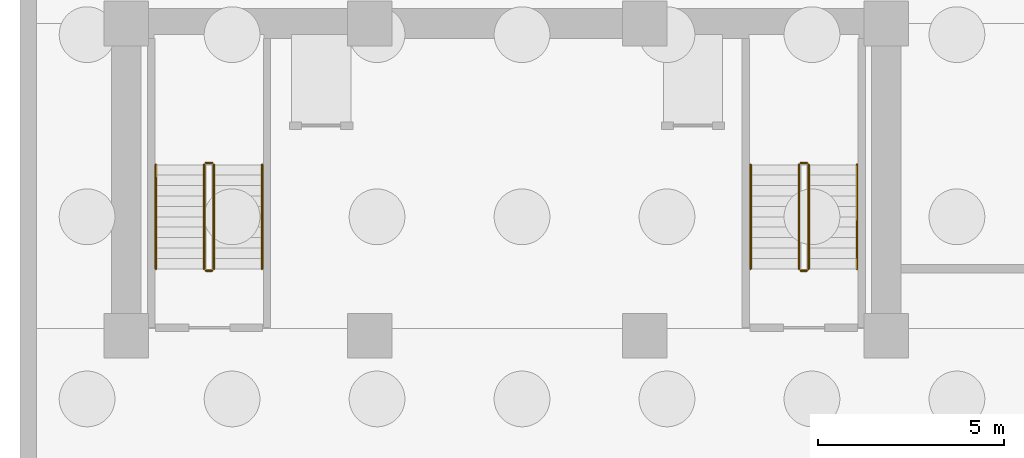
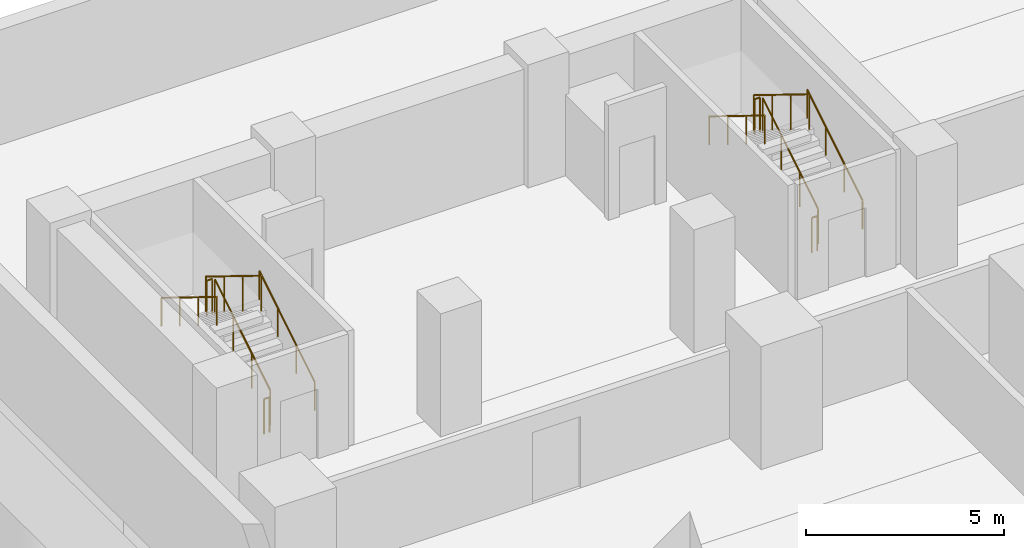
# One storey, part 5 of 7: 12 railings.
"""IFC4 building model written with IfcOpenShell, lengths in metres."""

from ifc_helpers import new_model, si_unit, direction, frame, origin, origin_2d, place, context, subcontext, project, spatial, circle, extrude, material, layer, layer_set, type_object, element, save


model = new_model("IFC4")

# Units and contexts
model_context = context("Model", 3, precision=1e-05, world=origin(), true_north=direction((0.0, 1.0)))
body_context = subcontext(model_context, "Body", "Model", "MODEL_VIEW")
ifc_project = project(units=[si_unit("LENGTHUNIT", "METRE"), si_unit("AREAUNIT", "SQUARE_METRE"), si_unit("VOLUMEUNIT", "CUBIC_METRE"), si_unit("PLANEANGLEUNIT", "RADIAN"), si_unit("MASSUNIT", "GRAM", prefix="KILO")], contexts=[model_context])

# Site, building, storey
site_placement = place(None, origin())
site = spatial("IfcSite", under=ifc_project, at=site_placement, CompositionType="ELEMENT")
building_placement = place(site_placement, origin())
building = spatial("IfcBuilding", under=site, at=building_placement, Name="Kuzgunbayir Cultural Tower", CompositionType="ELEMENT")
storey_placement = place(building_placement, frame((0.0, 0.0, -11.39990234375)))
storey = spatial("IfcBuildingStorey", under=building, at=storey_placement, Name="B03", CompositionType="ELEMENT", Elevation=-11.39990234375)

# Railings
ifc_material_1 = material(Name="Brushed Stainless Steel", Category="steel")
ifc_layer_1 = layer(ifc_material_1, 0.050048828125)
ifc_layer_set_1 = layer_set([ifc_layer_1], Name="Brushed Stainless Steel")
railing_type_1 = type_object("IfcRailingType", Name="RLG-STAIR-HANDRAIL", PredefinedType="HANDRAIL", material=ifc_layer_set_1)
railing_1_placement = place(storey_placement, frame((10.110107421875, 35.60009765625, 0.172607421875)))
element("IfcRailing", 1, at=railing_1_placement, inside=storey, type_object=railing_type_1, Name="B03 ST-1 stair handrail 1", PredefinedType="HANDRAIL", context=body_context, shape_type="SweptSolid", body=[
    extrude(circle(Radius=0.02392578125, at=origin_2d()), frame((0.0, 0.0, 0.8759765625), z_axis=(0.0, 0.851069175582, 0.525053576669), x_axis=(-1.0, 0.0, 0.0)), (0.0, 0.0, 1.0), 3.289794921875),
    extrude(circle(Radius=0.02099609375, at=origin_2d()), origin(), (0.0, 0.0, 1.0), 0.851806640625),
    extrude(circle(Radius=0.02099609375, at=origin_2d()), frame((0.0, 0.933349609375, 0.57568359375)), (0.0, 0.0, 1.0), 0.851806640625),
    extrude(circle(Radius=0.02099609375, at=origin_2d()), frame((0.0, 1.866455078125, 1.151611328125)), (0.0, 0.0, 1.0), 0.851806640625),
    extrude(circle(Radius=0.02099609375, at=origin_2d()), frame((0.0, 2.7998046875, 1.727294921875)), (0.0, 0.0, 1.0), 0.851806640625),
])
railing_2_placement = place(storey_placement, frame((7.25, 38.39990234375, 2.072509765625)))
element("IfcRailing", 2, at=railing_2_placement, inside=storey, type_object=railing_type_1, Name="B03 ST-1 stair handrail 2", PredefinedType="HANDRAIL", context=body_context, shape_type="SweptSolid", body=[
    extrude(circle(Radius=0.02392578125, at=origin_2d()), frame((0.0, 0.0, 0.8759765625), z_axis=(0.0, -0.851069175582, 0.525053576669), x_axis=(1.0, 0.0, 0.0)), (0.0, 0.0, 1.0), 3.289794921875),
    extrude(circle(Radius=0.02099609375, at=origin_2d()), origin(), (0.0, 0.0, 1.0), 0.851806640625),
    extrude(circle(Radius=0.02099609375, at=origin_2d()), frame((0.0, -0.933349609375, 0.57568359375)), (0.0, 0.0, 1.0), 0.851806640625),
    extrude(circle(Radius=0.02099609375, at=origin_2d()), frame((0.0, -1.866455078125, 1.151611328125)), (0.0, 0.0, 1.0), 0.851806640625),
    extrude(circle(Radius=0.02099609375, at=origin_2d()), frame((0.0, -2.7998046875, 1.727294921875)), (0.0, 0.0, 1.0), 0.851806640625),
])
railing_3_placement = place(storey_placement, frame((26.110107421875, 35.60009765625, 0.172607421875)))
element("IfcRailing", 3, at=railing_3_placement, inside=storey, type_object=railing_type_1, Name="B03 ST-2 stair handrail 1", PredefinedType="HANDRAIL", context=body_context, shape_type="SweptSolid", body=[
    extrude(circle(Radius=0.02392578125, at=origin_2d()), frame((0.0, 0.0, 0.8759765625), z_axis=(0.0, 0.851069175582, 0.525053576669), x_axis=(-1.0, 0.0, 0.0)), (0.0, 0.0, 1.0), 3.289794921875),
    extrude(circle(Radius=0.02099609375, at=origin_2d()), origin(), (0.0, 0.0, 1.0), 0.851806640625),
    extrude(circle(Radius=0.02099609375, at=origin_2d()), frame((0.0, 0.933349609375, 0.57568359375)), (0.0, 0.0, 1.0), 0.851806640625),
    extrude(circle(Radius=0.02099609375, at=origin_2d()), frame((0.0, 1.866455078125, 1.151611328125)), (0.0, 0.0, 1.0), 0.851806640625),
    extrude(circle(Radius=0.02099609375, at=origin_2d()), frame((0.0, 2.7998046875, 1.727294921875)), (0.0, 0.0, 1.0), 0.851806640625),
])
railing_4_placement = place(storey_placement, frame((23.25, 38.39990234375, 2.072509765625)))
element("IfcRailing", 4, at=railing_4_placement, inside=storey, type_object=railing_type_1, Name="B03 ST-2 stair handrail 2", PredefinedType="HANDRAIL", context=body_context, shape_type="SweptSolid", body=[
    extrude(circle(Radius=0.02392578125, at=origin_2d()), frame((0.0, 0.0, 0.8759765625), z_axis=(0.0, -0.851069175582, 0.525053576669), x_axis=(1.0, 0.0, 0.0)), (0.0, 0.0, 1.0), 3.289794921875),
    extrude(circle(Radius=0.02099609375, at=origin_2d()), origin(), (0.0, 0.0, 1.0), 0.851806640625),
    extrude(circle(Radius=0.02099609375, at=origin_2d()), frame((0.0, -0.933349609375, 0.57568359375)), (0.0, 0.0, 1.0), 0.851806640625),
    extrude(circle(Radius=0.02099609375, at=origin_2d()), frame((0.0, -1.866455078125, 1.151611328125)), (0.0, 0.0, 1.0), 0.851806640625),
    extrude(circle(Radius=0.02099609375, at=origin_2d()), frame((0.0, -2.7998046875, 1.727294921875)), (0.0, 0.0, 1.0), 0.851806640625),
])
ifc_material_2 = material(Name="Painted Steel Balustrade", Category="steel")
ifc_layer_2 = layer(ifc_material_2, 0.06005859375)
ifc_layer_set_2 = layer_set([ifc_layer_2], Name="Painted Steel Balustrade")
railing_type_2 = type_object("IfcRailingType", Name="RLG-WELL-GUARD", PredefinedType="GUARDRAIL", material=ifc_layer_set_2)
railing_5_placement = place(storey_placement, frame((8.81005859375, 35.60009765625, 0.172607421875)))
element("IfcRailing", 5, at=railing_5_placement, inside=storey, type_object=railing_type_2, Name="B03 ST-1 stair guard 1", PredefinedType="GUARDRAIL", context=body_context, shape_type="SweptSolid", body=[
    extrude(circle(Radius=0.02392578125, at=origin_2d()), frame((0.0, 0.0, 1.076171875), z_axis=(0.0, 0.851069175582, 0.525053576669), x_axis=(-1.0, 0.0, 0.0)), (0.0, 0.0, 1.0), 3.289794921875),
    extrude(circle(Radius=0.02099609375, at=origin_2d()), origin(), (0.0, 0.0, 1.0), 1.052001953125),
    extrude(circle(Radius=0.02099609375, at=origin_2d()), frame((0.0, 0.933349609375, 0.57568359375)), (0.0, 0.0, 1.0), 1.052001953125),
    extrude(circle(Radius=0.02099609375, at=origin_2d()), frame((0.0, 1.866455078125, 1.151611328125)), (0.0, 0.0, 1.0), 1.052001953125),
    extrude(circle(Radius=0.02099609375, at=origin_2d()), frame((0.0, 2.7998046875, 1.727294921875)), (0.0, 0.0, 1.0), 1.052001953125),
])
railing_6_placement = place(storey_placement, frame((8.760009765625, 38.449951171875, 1.89990234375)))
element("IfcRailing", 6, at=railing_6_placement, inside=storey, type_object=railing_type_2, Name="B03 ST-1 stair guard 2", PredefinedType="GUARDRAIL", context=body_context, shape_type="SweptSolid", body=[
    extrude(circle(Radius=0.02392578125, at=origin_2d()), frame((0.0, 0.0, 1.076171875), z_axis=(-1.0, 0.0, 0.0), x_axis=(0.0, -1.0, 0.0)), (0.0, 0.0, 1.0), 0.159912109375),
    extrude(circle(Radius=0.02099609375, at=origin_2d()), origin(), (0.0, 0.0, 1.0), 1.052001953125),
    extrude(circle(Radius=0.02099609375, at=origin_2d()), frame((-0.159912109375, 0.0, 0.0)), (0.0, 0.0, 1.0), 1.052001953125),
])
railing_7_placement = place(storey_placement, frame((8.550048828125, 38.39990234375, 2.072509765625)))
element("IfcRailing", 7, at=railing_7_placement, inside=storey, type_object=railing_type_2, Name="B03 ST-1 stair guard 3", PredefinedType="GUARDRAIL", context=body_context, shape_type="SweptSolid", body=[
    extrude(circle(Radius=0.02392578125, at=origin_2d()), frame((0.0, 0.0, 1.076171875), z_axis=(0.0, -0.851069175582, 0.525053576669), x_axis=(1.0, 0.0, 0.0)), (0.0, 0.0, 1.0), 3.289794921875),
    extrude(circle(Radius=0.02099609375, at=origin_2d()), origin(), (0.0, 0.0, 1.0), 1.052001953125),
    extrude(circle(Radius=0.02099609375, at=origin_2d()), frame((0.0, -0.933349609375, 0.57568359375)), (0.0, 0.0, 1.0), 1.052001953125),
    extrude(circle(Radius=0.02099609375, at=origin_2d()), frame((0.0, -1.866455078125, 1.151611328125)), (0.0, 0.0, 1.0), 1.052001953125),
    extrude(circle(Radius=0.02099609375, at=origin_2d()), frame((0.0, -2.7998046875, 1.727294921875)), (0.0, 0.0, 1.0), 1.052001953125),
])
railing_8_placement = place(storey_placement, frame((8.760009765625, 35.550048828125, 0.0)))
element("IfcRailing", 8, at=railing_8_placement, inside=storey, type_object=railing_type_2, Name="B03 ST-1 stair guard 4", PredefinedType="GUARDRAIL", context=body_context, shape_type="SweptSolid", body=[
    extrude(circle(Radius=0.02392578125, at=origin_2d()), frame((0.0, 0.0, 1.076171875), z_axis=(-1.0, 0.0, 0.0), x_axis=(0.0, -1.0, 0.0)), (0.0, 0.0, 1.0), 0.159912109375),
    extrude(circle(Radius=0.02099609375, at=origin_2d()), origin(), (0.0, 0.0, 1.0), 1.052001953125),
    extrude(circle(Radius=0.02099609375, at=origin_2d()), frame((-0.159912109375, 0.0, 0.0)), (0.0, 0.0, 1.0), 1.052001953125),
])
railing_9_placement = place(storey_placement, frame((24.81005859375, 35.60009765625, 0.172607421875)))
element("IfcRailing", 9, at=railing_9_placement, inside=storey, type_object=railing_type_2, Name="B03 ST-2 stair guard 1", PredefinedType="GUARDRAIL", context=body_context, shape_type="SweptSolid", body=[
    extrude(circle(Radius=0.02392578125, at=origin_2d()), frame((0.0, 0.0, 1.076171875), z_axis=(0.0, 0.851069175582, 0.525053576669), x_axis=(-1.0, 0.0, 0.0)), (0.0, 0.0, 1.0), 3.289794921875),
    extrude(circle(Radius=0.02099609375, at=origin_2d()), origin(), (0.0, 0.0, 1.0), 1.052001953125),
    extrude(circle(Radius=0.02099609375, at=origin_2d()), frame((0.0, 0.933349609375, 0.57568359375)), (0.0, 0.0, 1.0), 1.052001953125),
    extrude(circle(Radius=0.02099609375, at=origin_2d()), frame((0.0, 1.866455078125, 1.151611328125)), (0.0, 0.0, 1.0), 1.052001953125),
    extrude(circle(Radius=0.02099609375, at=origin_2d()), frame((0.0, 2.7998046875, 1.727294921875)), (0.0, 0.0, 1.0), 1.052001953125),
])
railing_10_placement = place(storey_placement, frame((24.760009765625, 38.449951171875, 1.89990234375)))
element("IfcRailing", 10, at=railing_10_placement, inside=storey, type_object=railing_type_2, Name="B03 ST-2 stair guard 2", PredefinedType="GUARDRAIL", context=body_context, shape_type="SweptSolid", body=[
    extrude(circle(Radius=0.02392578125, at=origin_2d()), frame((0.0, 0.0, 1.076171875), z_axis=(-1.0, 0.0, 0.0), x_axis=(0.0, -1.0, 0.0)), (0.0, 0.0, 1.0), 0.159912109375),
    extrude(circle(Radius=0.02099609375, at=origin_2d()), origin(), (0.0, 0.0, 1.0), 1.052001953125),
    extrude(circle(Radius=0.02099609375, at=origin_2d()), frame((-0.159912109375, 0.0, 0.0)), (0.0, 0.0, 1.0), 1.052001953125),
])
railing_11_placement = place(storey_placement, frame((24.550048828125, 38.39990234375, 2.072509765625)))
element("IfcRailing", 11, at=railing_11_placement, inside=storey, type_object=railing_type_2, Name="B03 ST-2 stair guard 3", PredefinedType="GUARDRAIL", context=body_context, shape_type="SweptSolid", body=[
    extrude(circle(Radius=0.02392578125, at=origin_2d()), frame((0.0, 0.0, 1.076171875), z_axis=(0.0, -0.851069175582, 0.525053576669), x_axis=(1.0, 0.0, 0.0)), (0.0, 0.0, 1.0), 3.289794921875),
    extrude(circle(Radius=0.02099609375, at=origin_2d()), origin(), (0.0, 0.0, 1.0), 1.052001953125),
    extrude(circle(Radius=0.02099609375, at=origin_2d()), frame((0.0, -0.933349609375, 0.57568359375)), (0.0, 0.0, 1.0), 1.052001953125),
    extrude(circle(Radius=0.02099609375, at=origin_2d()), frame((0.0, -1.866455078125, 1.151611328125)), (0.0, 0.0, 1.0), 1.052001953125),
    extrude(circle(Radius=0.02099609375, at=origin_2d()), frame((0.0, -2.7998046875, 1.727294921875)), (0.0, 0.0, 1.0), 1.052001953125),
])
railing_12_placement = place(storey_placement, frame((24.760009765625, 35.550048828125, 0.0)))
element("IfcRailing", 12, at=railing_12_placement, inside=storey, type_object=railing_type_2, Name="B03 ST-2 stair guard 4", PredefinedType="GUARDRAIL", context=body_context, shape_type="SweptSolid", body=[
    extrude(circle(Radius=0.02392578125, at=origin_2d()), frame((0.0, 0.0, 1.076171875), z_axis=(-1.0, 0.0, 0.0), x_axis=(0.0, -1.0, 0.0)), (0.0, 0.0, 1.0), 0.159912109375),
    extrude(circle(Radius=0.02099609375, at=origin_2d()), origin(), (0.0, 0.0, 1.0), 1.052001953125),
    extrude(circle(Radius=0.02099609375, at=origin_2d()), frame((-0.159912109375, 0.0, 0.0)), (0.0, 0.0, 1.0), 1.052001953125),
])

save(model, "model.ifc")
